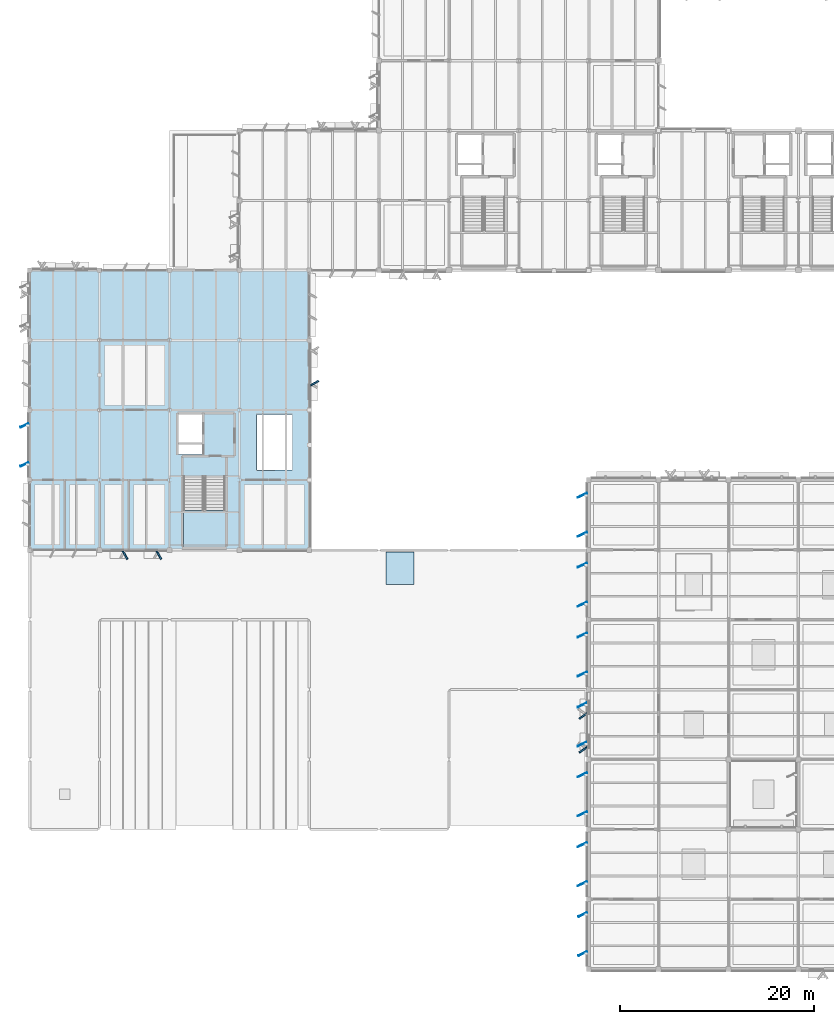
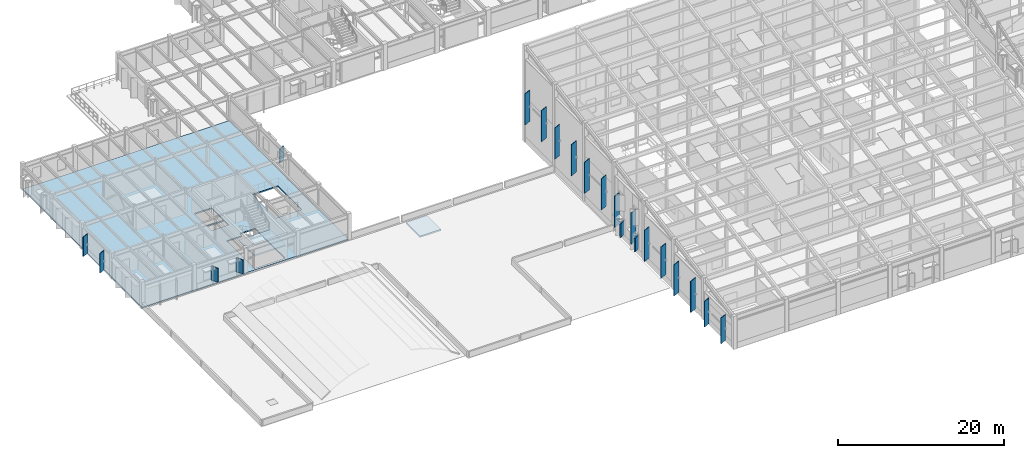
# One storey, part 22 of 82: 21 plates, 3 slabs, 1 element without a shape of its own.
"""IFC4 building model written with IfcOpenShell, lengths in metres."""

from ifc_helpers import new_model, si_unit, direction, frame, origin, origin_2d, place, context, subcontext, project, spatial, polyline, rectangle, outline, extrude, material, layer, layer_set, type_object, element, aggregate, save


model = new_model("IFC4")

# Units and contexts
model_context = context("Model", 3, precision=1e-05, world=origin(), true_north=direction((0.0, 1.0)))
body_context = subcontext(model_context, "Body", "Model", "MODEL_VIEW")
ifc_project = project(units=[si_unit("LENGTHUNIT", "METRE"), si_unit("AREAUNIT", "SQUARE_METRE"), si_unit("VOLUMEUNIT", "CUBIC_METRE"), si_unit("PLANEANGLEUNIT", "RADIAN"), si_unit("MASSUNIT", "GRAM", prefix="KILO")], contexts=[model_context])

# Site, building, storey
site_placement = place(None, origin())
site = spatial("IfcSite", under=ifc_project, at=site_placement, CompositionType="ELEMENT")
building_placement = place(site_placement, origin())
building = spatial("IfcBuilding", under=site, at=building_placement, Name="Sillqori Civic Hall", CompositionType="ELEMENT")
storey_placement = place(building_placement, frame((0.0, 0.0, 14.10009765625)))
storey = spatial("IfcBuildingStorey", under=building, at=storey_placement, Name="L04", CompositionType="ELEMENT", Elevation=14.10009765625)

# Plates
ifc_material_1 = material(Name="Precast concrete C40/50 (H40)", Category="concrete")
ifc_layer_1 = layer(ifc_material_1, 0.159912109375)
ifc_layer_set_1 = layer_set([ifc_layer_1], Name="Precast concrete C40/50 (H40)")
plate_type_1 = type_object("IfcPlateType", Name="FIN-WEST-350", PredefinedType="USERDEFINED", material=ifc_layer_set_1)
for number, where, z_axis, x_axis, name in (
    (1, (6.655029296875, 59.18994140625, 0.14990234375), (0.0, 0.0, 1.0), (-0.422618261741, 0.906307787037, 0.0), "L04 west brise-soleil fin L04-01-08-W.1"),
    (2, (6.655029296875, 63.2099609375, 0.14990234375), (0.0, 0.0, 1.0), (-0.422618261741, 0.906307787037, 0.0), "L04 west brise-soleil fin L04-01-08-W.2"),
):
    element("IfcPlate", number, at=place(storey_placement, frame(where, z_axis=z_axis, x_axis=x_axis)), inside=storey, type_object=plate_type_1, Name=name, ObjectType="SOLAR_FIN", PredefinedType="USERDEFINED", context=body_context, shape_type="SweptSolid", body=[
        extrude(rectangle(XDim=0.090087890625, YDim=0.8798828125, at=origin_2d()), origin(), (0.0, 0.0, 1.0), 2.8720703125),
    ])
ifc_layer_2 = layer(ifc_material_1, 0.159912109375)
ifc_layer_set_2 = layer_set([ifc_layer_2], Name="Precast concrete C40/50 (H40)")
plate_type_2 = type_object("IfcPlateType", Name="FIN-WEST-380", PredefinedType="USERDEFINED", material=ifc_layer_set_2)
for number, where, z_axis, x_axis, name in (
    (3, (64.175048828125, 8.7900390625, 0.1962890625), (0.0, 0.0, 1.0), (-0.422618261741, 0.906307787037, 0.0), "L04 west brise-soleil fin L04-09-01-W.1"),
    (4, (64.175048828125, 12.81005859375, 0.1962890625), (0.0, 0.0, 1.0), (-0.422618261741, 0.906307787037, 0.0), "L04 west brise-soleil fin L04-09-01-W.2"),
):
    element("IfcPlate", number, at=place(storey_placement, frame(where, z_axis=z_axis, x_axis=x_axis)), inside=storey, type_object=plate_type_2, Name=name, ObjectType="SOLAR_FIN", PredefinedType="USERDEFINED", context=body_context, shape_type="SweptSolid", body=[
        extrude(rectangle(XDim=0.090087890625, YDim=0.9599609375, at=origin_2d()), origin(), (0.0, 0.0, 1.0), 3.800048828125),
    ])
ifc_layer_3 = layer(ifc_material_1, 0.179931640625)
ifc_layer_set_3 = layer_set([ifc_layer_3], Name="Precast concrete C40/50 (H40)")
plate_type_3 = type_object("IfcPlateType", Name="FIN-WEST-460", PredefinedType="USERDEFINED", material=ifc_layer_set_3)
for number, where, z_axis, x_axis, name in (
    (5, (64.135009765625, 15.989990234375, 0.468017578125), (0.0, 0.0, 1.0), (-0.422618261741, 0.906307787037, 0.0), "L04 west brise-soleil fin L04-09-02-W.1"),
    (6, (64.135009765625, 20.010009765625, 0.468017578125), (0.0, 0.0, 1.0), (-0.422618261741, 0.906307787037, 0.0), "L04 west brise-soleil fin L04-09-02-W.2"),
    (7, (64.135009765625, 23.18994140625, 1.139404296875), (0.0, 0.0, 1.0), (-0.422618261741, 0.906307787037, 0.0), "L04 west brise-soleil fin L04-09-03-W.1"),
    (8, (64.135009765625, 27.2099609375, 1.139404296875), (0.0, 0.0, 1.0), (-0.422618261741, 0.906307787037, 0.0), "L04 west brise-soleil fin L04-09-03-W.2"),
    (9, (64.135009765625, 30.389892578125, 1.810791015625), (0.0, 0.0, 1.0), (-0.422618261741, 0.906307787037, 0.0), "L04 west brise-soleil fin L04-09-04-W.1"),
    (10, (64.135009765625, 34.409912109375, 1.810791015625), (0.0, 0.0, 1.0), (-0.422618261741, 0.906307787037, 0.0), "L04 west brise-soleil fin L04-09-04-W.2"),
    (11, (64.135009765625, 37.590087890625, 2.482177734375), (0.0, 0.0, 1.0), (-0.422618261741, 0.906307787037, 0.0), "L04 west brise-soleil fin L04-09-05-W.1"),
    (12, (64.135009765625, 41.610107421875, 2.482177734375), (0.0, 0.0, 1.0), (-0.422618261741, 0.906307787037, 0.0), "L04 west brise-soleil fin L04-09-05-W.2"),
    (13, (64.135009765625, 44.7900390625, 3.153564453125), (0.0, 0.0, 1.0), (-0.422618261741, 0.906307787037, 0.0), "L04 west brise-soleil fin L04-09-06-W.1"),
    (14, (64.135009765625, 48.81005859375, 3.153564453125), (0.0, 0.0, 1.0), (-0.422618261741, 0.906307787037, 0.0), "L04 west brise-soleil fin L04-09-06-W.2"),
    (15, (64.135009765625, 51.989990234375, 3.824951171875), (0.0, 0.0, 1.0), (-0.422618261741, 0.906307787037, 0.0), "L04 west brise-soleil fin L04-09-07-W.1"),
    (16, (64.135009765625, 56.010009765625, 3.824951171875), (0.0, 0.0, 1.0), (-0.422618261741, 0.906307787037, 0.0), "L04 west brise-soleil fin L04-09-07-W.2"),
):
    element("IfcPlate", number, at=place(storey_placement, frame(where, z_axis=z_axis, x_axis=x_axis)), inside=storey, type_object=plate_type_3, Name=name, ObjectType="SOLAR_FIN", PredefinedType="USERDEFINED", context=body_context, shape_type="SweptSolid", body=[
        extrude(rectangle(XDim=0.090087890625, YDim=1.0400390625, at=origin_2d()), origin(), (0.0, 0.0, 1.0), 4.60009765625),
    ])
ifc_layer_4 = layer(ifc_material_1, 0.159912109375)
ifc_layer_set_4 = layer_set([ifc_layer_4], Name="Precast concrete C40/50 (H40)")
plate_type_4 = type_object("IfcPlateType", Name="REV-SAW-200", PredefinedType="USERDEFINED", material=ifc_layer_set_4)
for number, where, z_axis, x_axis, name in (
    (17, (20.501953125, 49.860107421875, 0.7998046875), (0.0, 0.0, 1.0), (-0.866025403784, -0.5, 0.0), "Sawtooth stone window reveal L04-02-07-S.1"),
    (18, (17.01806640625, 49.860107421875, 0.7998046875), (0.0, 0.0, 1.0), (-0.866025403784, -0.5, 0.0), "Sawtooth stone window reveal L04-02-07-S.2"),
    (19, (36.5400390625, 67.568115234375, 0.849853515625), (0.0, 0.0, 1.0), (0.5, -0.866025403784, 0.0), "Sawtooth stone window reveal L04-04-09-E.2"),
    (20, (64.219970703125, 29.798095703125, 1.0), (0.0, 0.0, 1.0), (-0.587785252292, 0.809016994375, 0.0), "Sawtooth stone window reveal L04-09-04-W.1"),
    (21, (64.219970703125, 33.281982421875, 1.0), (0.0, 0.0, 1.0), (-0.587785252292, 0.809016994375, 0.0), "Sawtooth stone window reveal L04-09-04-W.2"),
):
    element("IfcPlate", number, at=place(storey_placement, frame(where, z_axis=z_axis, x_axis=x_axis)), inside=storey, type_object=plate_type_4, Name=name, ObjectType="REVEAL_PANEL", PredefinedType="USERDEFINED", context=body_context, shape_type="SweptSolid", body=[
        extrude(rectangle(XDim=0.159912109375, YDim=0.97998046875, at=origin_2d()), origin(), (0.0, 0.0, 1.0), 2.0),
    ])

# Slab
ifc_material_2 = material(Name="Concrete C30/37 (H30)", Category="concrete")
ifc_layer_5 = layer(ifc_material_2, 0.179931640625)
ifc_layer_set_5 = layer_set([ifc_layer_5], Name="Concrete C30/37 (H30)")
slab_type_1 = type_object("IfcSlabType", Name="SLB-FLR-180", PredefinedType="FLOOR", material=ifc_layer_set_5)
slab_1_placement = place(storey_placement, frame((0.0, 0.0, -0.18017578125)))
element("IfcSlab", 22, at=slab_1_placement, inside=storey, type_object=slab_type_1, Name="L04 V5 composite floor slab 0.1", PredefinedType="FLOOR", context=body_context, shape_type="SweptSolid", body=[
    extrude(outline(polyline([(7.199951171875, 79.199951171875), (14.39990234375, 79.199951171875), (21.60009765625, 79.199951171875), (28.800048828125, 79.199951171875), (36.0, 79.199951171875), (36.0, 72.0), (36.0, 64.800048828125), (36.0, 57.60009765625), (36.0, 50.39990234375), (28.800048828125, 50.39990234375), (21.60009765625, 50.39990234375), (14.39990234375, 50.39990234375), (7.199951171875, 50.39990234375), (7.199951171875, 57.60009765625), (7.199951171875, 64.800048828125), (7.199951171875, 72.0), (7.199951171875, 79.199951171875)]), holes=[polyline([(25.159912109375, 57.419921875), (23.06005859375, 57.419921875), (23.06005859375, 50.75), (27.340087890625, 50.75), (27.340087890625, 57.969970703125), (25.159912109375, 57.969970703125), (25.159912109375, 57.419921875)]), polyline([(24.949951171875, 60.199951171875), (24.949951171875, 61.300048828125), (22.550048828125, 61.300048828125), (22.550048828125, 60.199951171875), (24.949951171875, 60.199951171875)]), polyline([(34.199951171875, 64.35009765625), (30.60009765625, 64.35009765625), (30.60009765625, 58.60009765625), (34.199951171875, 58.60009765625), (34.199951171875, 64.35009765625)]), polyline([(24.949951171875, 61.449951171875), (24.949951171875, 64.35009765625), (22.550048828125, 64.35009765625), (22.550048828125, 61.449951171875), (24.949951171875, 61.449951171875)])]), origin(), (0.0, 0.0, 1.0), 0.18017578125),
])

# Stair, slab
ifc_material_3 = material(Name="Concrete C35/45 (H35)", Category="concrete")
stair_type = type_object("IfcStairType", Name="STR-CORE-04", PredefinedType="DOUBLE_RETURN_STAIR", material=ifc_material_3)
stair_placement = place(storey_placement, origin())
stair = element("IfcStair", 23, at=stair_placement, inside=storey, type_object=stair_type, Name="L04 Core exit stair ST-04", PredefinedType="DOUBLE_RETURN_STAIR")
ifc_layer_6 = layer(ifc_material_3, 0.199951171875)
ifc_layer_set_6 = layer_set([ifc_layer_6], Name="Concrete C35/45 (H35)")
slab_type_2 = type_object("IfcSlabType", Name="SLB-LND-220", PredefinedType="LANDING", material=ifc_layer_set_6)
slab_2_placement = place(storey_placement, frame((0.0, 0.0, 1.75)))
slab_2 = element("IfcSlab", 24, at=slab_2_placement, type_object=slab_type_2, Name="ST-04 landing 1", PredefinedType="LANDING", context=body_context, shape_type="SweptSolid", body=[
    extrude(outline(polyline([(23.02490234375, 54.449951171875), (23.02490234375, 50.715087890625), (27.375, 50.715087890625), (27.375, 54.449951171875), (23.02490234375, 54.449951171875)])), origin(), (0.0, 0.0, 1.0), 0.199951171875),
])
aggregate(stair, [slab_2])

# Slab
ifc_layer_7 = layer(ifc_material_3, 0.219970703125)
ifc_layer_set_7 = layer_set([ifc_layer_7], Name="Concrete C35/45 (H35)")
slab_type_3 = type_object("IfcSlabType", Name="SLB-OVR-220", PredefinedType="ROOF", material=ifc_layer_set_7)
slab_3_placement = place(storey_placement, frame((0.0, 0.0, -0.420166015625)))
element("IfcSlab", 25, at=slab_3_placement, inside=storey, type_object=slab_type_3, Name="Lift shaft overrun slab LF-07", PredefinedType="ROOF", context=body_context, shape_type="SweptSolid", body=[
    extrude(outline(polyline([(43.89990234375, 46.85009765625), (46.800048828125, 46.85009765625), (46.800048828125, 50.199951171875), (43.89990234375, 50.199951171875), (43.89990234375, 46.85009765625)])), origin(), (0.0, 0.0, 1.0), 0.219970703125),
])

save(model, "model.ifc")
